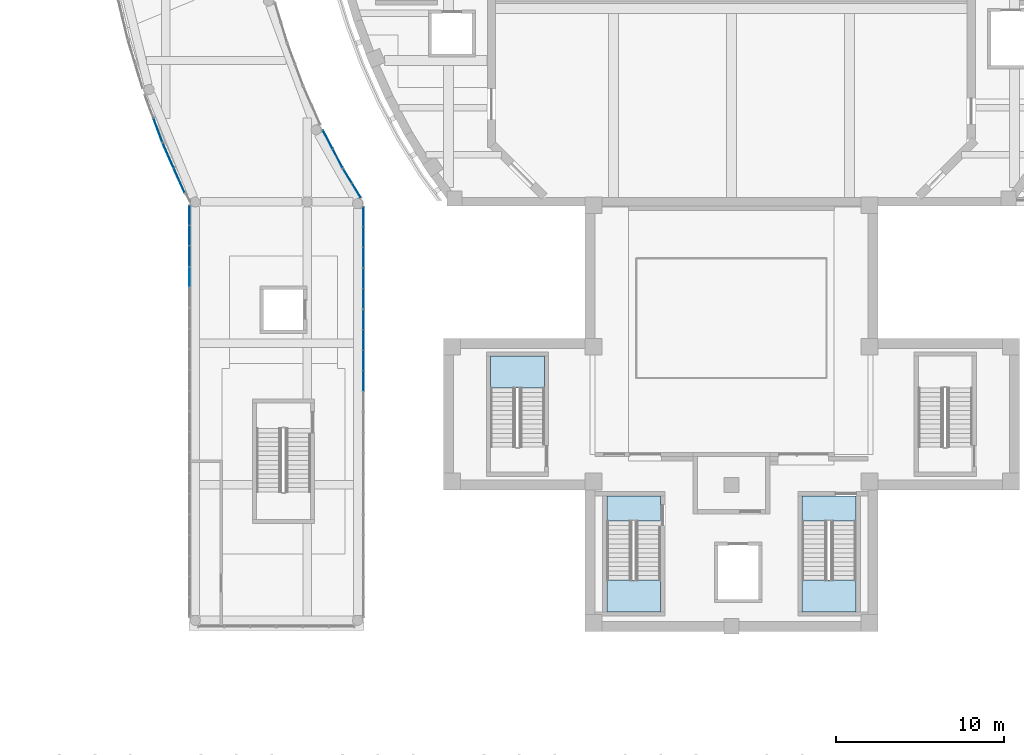
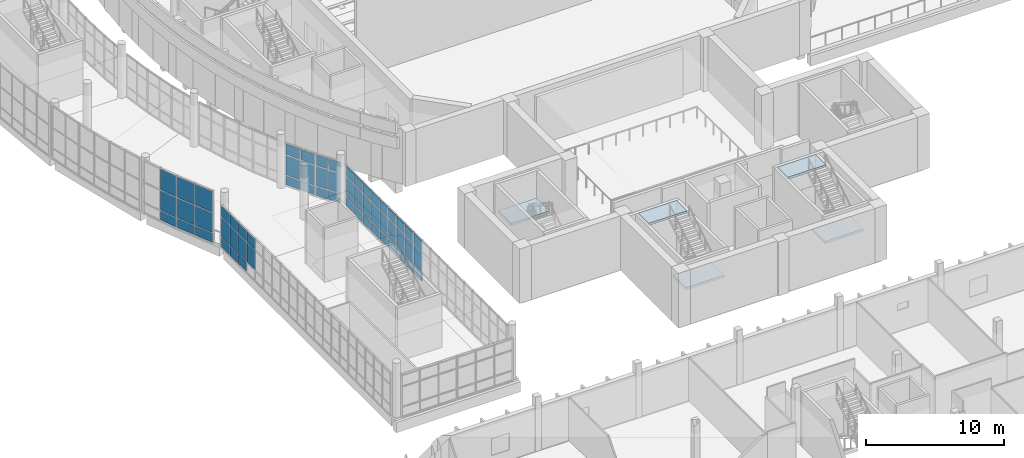
# One storey, part 43 of 119: 59 plates, 5 slabs, 10 elements without a shape of their own.
"""IFC4 building model written with IfcOpenShell, lengths in metres."""

from ifc_helpers import new_model, si_unit, direction, frame, origin, origin_2d, place, context, subcontext, project, spatial, polyline, rectangle, outline, extrude, material, layer, layer_set, type_object, element, aggregate, save


model = new_model("IFC4")

# Units and contexts
model_context = context("Model", 3, precision=1e-05, world=origin(), true_north=direction((0.0, 1.0)))
body_context = subcontext(model_context, "Body", "Model", "MODEL_VIEW")
ifc_project = project(units=[si_unit("LENGTHUNIT", "METRE"), si_unit("AREAUNIT", "SQUARE_METRE"), si_unit("VOLUMEUNIT", "CUBIC_METRE"), si_unit("PLANEANGLEUNIT", "RADIAN"), si_unit("MASSUNIT", "GRAM", prefix="KILO")], contexts=[model_context])

# Site, building, storey
site_placement = place(None, origin())
site = spatial("IfcSite", under=ifc_project, at=site_placement, CompositionType="ELEMENT")
building_placement = place(site_placement, origin())
building = spatial("IfcBuilding", under=site, at=building_placement, Name="Larchfold Concert Hall", CompositionType="ELEMENT")
storey_placement = place(building_placement, frame((0.0, 0.0, 4.800048828125)))
storey = spatial("IfcBuildingStorey", under=building, at=storey_placement, Name="L01", CompositionType="ELEMENT", Elevation=4.800048828125)

# Curtain wall, plates
ifc_material_1 = material(Name="Anodised graphite aluminium curtain wall", Category="aluminium")
ifc_layer_1 = layer(ifc_material_1, 0.14990234375)
ifc_layer_set_1 = layer_set([ifc_layer_1], Name="Anodised graphite aluminium curtain wall")
curtain_wall_type = type_object("IfcCurtainWallType", Name="Curtain wall WG", PredefinedType="NOTDEFINED", material=ifc_layer_set_1)
curtain_wall_1_placement = place(storey_placement, origin())
curtain_wall_1 = element("IfcCurtainWall", 1, at=curtain_wall_1_placement, inside=storey, type_object=curtain_wall_type, Name="Curtain wall CW0137", PredefinedType="NOTDEFINED")
ifc_material_2 = material(Name="Insulated glazing unit, glass", Category="glass")
ifc_layer_2 = layer(ifc_material_2, 0.028076171875)
ifc_layer_set_2 = layer_set([ifc_layer_2], Name="Insulated glazing unit, glass")
plate_type_1 = type_object("IfcPlateType", Name="Glass panel 28", PredefinedType="CURTAIN_PANEL", material=ifc_layer_set_2)
plate_1_placement = place(storey_placement, frame((20.331787109375, 60.077880859375, 0.93994140625), z_axis=(0.0, 0.0, 1.0), x_axis=(-0.52407134145, 0.851674367978, 0.0)))
plate_1 = element("IfcPlate", 2, at=plate_1_placement, type_object=plate_type_1, Name="CW0137 panel 1.2", PredefinedType="CURTAIN_PANEL", context=body_context, shape_type="SweptSolid", body=[
    extrude(rectangle(XDim=0.954345703125, YDim=0.028076171875, at=origin_2d()), origin(), (0.0, 0.0, 1.0), 1.719970703125),
])
plate_2_placement = place(storey_placement, frame((20.331787109375, 60.077880859375, 2.740234375), z_axis=(0.0, 0.0, 1.0), x_axis=(-0.52407134145, 0.851674367978, 0.0)))
plate_2 = element("IfcPlate", 3, at=plate_2_placement, type_object=plate_type_1, Name="CW0137 panel 1.3", PredefinedType="CURTAIN_PANEL", context=body_context, shape_type="SweptSolid", body=[
    extrude(rectangle(XDim=0.954345703125, YDim=0.028076171875, at=origin_2d()), origin(), (0.0, 0.0, 1.0), 0.929931640625),
])
plate_3_placement = place(storey_placement, frame((19.800048828125, 60.94189453125, 0.93994140625), z_axis=(0.0, 0.0, 1.0), x_axis=(-0.52407134145, 0.851674367978, 0.0)))
plate_3 = element("IfcPlate", 4, at=plate_3_placement, type_object=plate_type_1, Name="CW0137 panel 2.2", PredefinedType="CURTAIN_PANEL", context=body_context, shape_type="SweptSolid", body=[
    extrude(rectangle(XDim=0.954345703125, YDim=0.028076171875, at=origin_2d()), origin(), (0.0, 0.0, 1.0), 1.719970703125),
])
plate_4_placement = place(storey_placement, frame((19.800048828125, 60.94189453125, 2.740234375), z_axis=(0.0, 0.0, 1.0), x_axis=(-0.52407134145, 0.851674367978, 0.0)))
plate_4 = element("IfcPlate", 5, at=plate_4_placement, type_object=plate_type_1, Name="CW0137 panel 2.3", PredefinedType="CURTAIN_PANEL", context=body_context, shape_type="SweptSolid", body=[
    extrude(rectangle(XDim=0.954345703125, YDim=0.028076171875, at=origin_2d()), origin(), (0.0, 0.0, 1.0), 0.929931640625),
])

curtain_wall_2_placement = place(storey_placement, origin())
curtain_wall_2 = element("IfcCurtainWall", 6, at=curtain_wall_2_placement, inside=storey, type_object=curtain_wall_type, Name="Curtain wall CW0138", PredefinedType="NOTDEFINED")
plate_5_placement = place(storey_placement, frame((19.21142578125, 61.987060546875, 0.93994140625), z_axis=(0.0, 0.0, 1.0), x_axis=(-0.463190324357, 0.886258835455, 0.0)))
plate_5 = element("IfcPlate", 7, at=plate_5_placement, type_object=plate_type_1, Name="CW0138 panel 1.2", PredefinedType="CURTAIN_PANEL", context=body_context, shape_type="SweptSolid", body=[
    extrude(rectangle(XDim=1.2060546875, YDim=0.028076171875, at=origin_2d()), origin(), (0.0, 0.0, 1.0), 1.719970703125),
])
plate_6_placement = place(storey_placement, frame((19.21142578125, 61.987060546875, 2.740234375), z_axis=(0.0, 0.0, 1.0), x_axis=(-0.463190324357, 0.886258835455, 0.0)))
plate_6 = element("IfcPlate", 8, at=plate_6_placement, type_object=plate_type_1, Name="CW0138 panel 1.3", PredefinedType="CURTAIN_PANEL", context=body_context, shape_type="SweptSolid", body=[
    extrude(rectangle(XDim=1.2060546875, YDim=0.028076171875, at=origin_2d()), origin(), (0.0, 0.0, 1.0), 0.929931640625),
])
plate_7_placement = place(storey_placement, frame((18.625, 63.109130859375, 0.93994140625), z_axis=(0.0, 0.0, 1.0), x_axis=(-0.463190324357, 0.886258835455, 0.0)))
plate_7 = element("IfcPlate", 9, at=plate_7_placement, type_object=plate_type_1, Name="CW0138 panel 2.2", PredefinedType="CURTAIN_PANEL", context=body_context, shape_type="SweptSolid", body=[
    extrude(rectangle(XDim=1.2060546875, YDim=0.028076171875, at=origin_2d()), origin(), (0.0, 0.0, 1.0), 1.719970703125),
])
plate_8_placement = place(storey_placement, frame((18.625, 63.109130859375, 2.740234375), z_axis=(0.0, 0.0, 1.0), x_axis=(-0.463190324357, 0.886258835455, 0.0)))
plate_8 = element("IfcPlate", 10, at=plate_8_placement, type_object=plate_type_1, Name="CW0138 panel 2.3", PredefinedType="CURTAIN_PANEL", context=body_context, shape_type="SweptSolid", body=[
    extrude(rectangle(XDim=1.2060546875, YDim=0.028076171875, at=origin_2d()), origin(), (0.0, 0.0, 1.0), 0.929931640625),
])

curtain_wall_3_placement = place(storey_placement, origin())
curtain_wall_3 = element("IfcCurtainWall", 11, at=curtain_wall_3_placement, inside=storey, type_object=curtain_wall_type, Name="Curtain wall CW0202", PredefinedType="NOTDEFINED")
plate_9_placement = place(storey_placement, frame((8.539306640625, 63.657470703125, 0.93994140625), z_axis=(0.0, 0.0, 1.0), x_axis=(0.346592402451, -0.938015834921, 0.0)))
plate_9 = element("IfcPlate", 12, at=plate_9_placement, type_object=plate_type_1, Name="CW0202 panel 2.2", PredefinedType="CURTAIN_PANEL", context=body_context, shape_type="SweptSolid", body=[
    extrude(rectangle(XDim=1.446533203125, YDim=0.028076171875, at=origin_2d()), origin(), (0.0, 0.0, 1.0), 1.719970703125),
])
plate_10_placement = place(storey_placement, frame((8.539306640625, 63.657470703125, 2.740234375), z_axis=(0.0, 0.0, 1.0), x_axis=(0.346592402451, -0.938015834921, 0.0)))
plate_10 = element("IfcPlate", 13, at=plate_10_placement, type_object=plate_type_1, Name="CW0202 panel 2.3", PredefinedType="CURTAIN_PANEL", context=body_context, shape_type="SweptSolid", body=[
    extrude(rectangle(XDim=1.446533203125, YDim=0.028076171875, at=origin_2d()), origin(), (0.0, 0.0, 1.0), 1.829833984375),
])

curtain_wall_4_placement = place(storey_placement, origin())
curtain_wall_4 = element("IfcCurtainWall", 14, at=curtain_wall_4_placement, inside=storey, type_object=curtain_wall_type, Name="Curtain wall CW0203", PredefinedType="NOTDEFINED")
plate_11_placement = place(storey_placement, frame((9.149169921875, 62.15673828125, 0.93994140625), z_axis=(0.0, 0.0, 1.0), x_axis=(0.404126294549, -0.914703196701, 0.0)))
plate_11 = element("IfcPlate", 15, at=plate_11_placement, type_object=plate_type_1, Name="CW0203 panel 1.2", PredefinedType="CURTAIN_PANEL", context=body_context, shape_type="SweptSolid", body=[
    extrude(rectangle(XDim=1.554443359375, YDim=0.028076171875, at=origin_2d()), origin(), (0.0, 0.0, 1.0), 1.719970703125),
])
plate_12_placement = place(storey_placement, frame((9.149169921875, 62.15673828125, 2.740234375), z_axis=(0.0, 0.0, 1.0), x_axis=(0.404126294549, -0.914703196701, 0.0)))
plate_12 = element("IfcPlate", 16, at=plate_12_placement, type_object=plate_type_1, Name="CW0203 panel 1.3", PredefinedType="CURTAIN_PANEL", context=body_context, shape_type="SweptSolid", body=[
    extrude(rectangle(XDim=1.554443359375, YDim=0.028076171875, at=origin_2d()), origin(), (0.0, 0.0, 1.0), 1.829833984375),
])
plate_13_placement = place(storey_placement, frame((9.801513671875, 60.68017578125, 0.93994140625), z_axis=(0.0, 0.0, 1.0), x_axis=(0.404126294549, -0.914703196701, 0.0)))
plate_13 = element("IfcPlate", 17, at=plate_13_placement, type_object=plate_type_1, Name="CW0203 panel 2.2", PredefinedType="CURTAIN_PANEL", context=body_context, shape_type="SweptSolid", body=[
    extrude(rectangle(XDim=1.554443359375, YDim=0.028076171875, at=origin_2d()), origin(), (0.0, 0.0, 1.0), 1.719970703125),
])
plate_14_placement = place(storey_placement, frame((9.801513671875, 60.68017578125, 2.740234375), z_axis=(0.0, 0.0, 1.0), x_axis=(0.404126294549, -0.914703196701, 0.0)))
plate_14 = element("IfcPlate", 18, at=plate_14_placement, type_object=plate_type_1, Name="CW0203 panel 2.3", PredefinedType="CURTAIN_PANEL", context=body_context, shape_type="SweptSolid", body=[
    extrude(rectangle(XDim=1.554443359375, YDim=0.028076171875, at=origin_2d()), origin(), (0.0, 0.0, 1.0), 1.829833984375),
])

curtain_wall_5_placement = place(storey_placement, origin())
curtain_wall_5 = element("IfcCurtainWall", 19, at=curtain_wall_5_placement, inside=storey, type_object=curtain_wall_type, Name="Curtain wall CW0204", PredefinedType="NOTDEFINED")
plate_15_placement = place(storey_placement, frame((10.408447265625, 58.61279296875, 0.93994140625), z_axis=(0.0, 0.0, 1.0), x_axis=(0.0, -1.0, 0.0)))
plate_15 = element("IfcPlate", 20, at=plate_15_placement, type_object=plate_type_1, Name="CW0204 panel 1.2", PredefinedType="CURTAIN_PANEL", context=body_context, shape_type="SweptSolid", body=[
    extrude(rectangle(XDim=1.13671875, YDim=0.028076171875, at=origin_2d()), origin(), (0.0, 0.0, 1.0), 1.719970703125),
])
plate_16_placement = place(storey_placement, frame((10.408447265625, 58.61279296875, 2.740234375), z_axis=(0.0, 0.0, 1.0), x_axis=(0.0, -1.0, 0.0)))
plate_16 = element("IfcPlate", 21, at=plate_16_placement, type_object=plate_type_1, Name="CW0204 panel 1.3", PredefinedType="CURTAIN_PANEL", context=body_context, shape_type="SweptSolid", body=[
    extrude(rectangle(XDim=1.13671875, YDim=0.028076171875, at=origin_2d()), origin(), (0.0, 0.0, 1.0), 0.929931640625),
])
plate_17_placement = place(storey_placement, frame((10.408447265625, 57.4013671875, 0.93994140625), z_axis=(0.0, 0.0, 1.0), x_axis=(0.0, -1.0, 0.0)))
plate_17 = element("IfcPlate", 22, at=plate_17_placement, type_object=plate_type_1, Name="CW0204 panel 2.2", PredefinedType="CURTAIN_PANEL", context=body_context, shape_type="SweptSolid", body=[
    extrude(rectangle(XDim=1.16650390625, YDim=0.028076171875, at=origin_2d()), origin(), (0.0, 0.0, 1.0), 1.719970703125),
])
plate_18_placement = place(storey_placement, frame((10.408447265625, 57.4013671875, 2.740234375), z_axis=(0.0, 0.0, 1.0), x_axis=(0.0, -1.0, 0.0)))
plate_18 = element("IfcPlate", 23, at=plate_18_placement, type_object=plate_type_1, Name="CW0204 panel 2.3", PredefinedType="CURTAIN_PANEL", context=body_context, shape_type="SweptSolid", body=[
    extrude(rectangle(XDim=1.16650390625, YDim=0.028076171875, at=origin_2d()), origin(), (0.0, 0.0, 1.0), 0.929931640625),
])
plate_19_placement = place(storey_placement, frame((10.408447265625, 56.174560546875, 0.93994140625), z_axis=(0.0, 0.0, 1.0), x_axis=(0.0, -1.0, 0.0)))
plate_19 = element("IfcPlate", 24, at=plate_19_placement, type_object=plate_type_1, Name="CW0204 panel 3.2", PredefinedType="CURTAIN_PANEL", context=body_context, shape_type="SweptSolid", body=[
    extrude(rectangle(XDim=1.16650390625, YDim=0.028076171875, at=origin_2d()), origin(), (0.0, 0.0, 1.0), 1.719970703125),
])
plate_20_placement = place(storey_placement, frame((10.408447265625, 56.174560546875, 2.740234375), z_axis=(0.0, 0.0, 1.0), x_axis=(0.0, -1.0, 0.0)))
plate_20 = element("IfcPlate", 25, at=plate_20_placement, type_object=plate_type_1, Name="CW0204 panel 3.3", PredefinedType="CURTAIN_PANEL", context=body_context, shape_type="SweptSolid", body=[
    extrude(rectangle(XDim=1.16650390625, YDim=0.028076171875, at=origin_2d()), origin(), (0.0, 0.0, 1.0), 0.929931640625),
])
plate_21_placement = place(storey_placement, frame((10.408447265625, 54.947998046875, 0.93994140625), z_axis=(0.0, 0.0, 1.0), x_axis=(0.0, -1.0, 0.0)))
plate_21 = element("IfcPlate", 26, at=plate_21_placement, type_object=plate_type_1, Name="CW0204 panel 4.2", PredefinedType="CURTAIN_PANEL", context=body_context, shape_type="SweptSolid", body=[
    extrude(rectangle(XDim=1.16650390625, YDim=0.028076171875, at=origin_2d()), origin(), (0.0, 0.0, 1.0), 1.719970703125),
])
plate_22_placement = place(storey_placement, frame((10.408447265625, 54.947998046875, 2.740234375), z_axis=(0.0, 0.0, 1.0), x_axis=(0.0, -1.0, 0.0)))
plate_22 = element("IfcPlate", 27, at=plate_22_placement, type_object=plate_type_1, Name="CW0204 panel 4.3", PredefinedType="CURTAIN_PANEL", context=body_context, shape_type="SweptSolid", body=[
    extrude(rectangle(XDim=1.16650390625, YDim=0.028076171875, at=origin_2d()), origin(), (0.0, 0.0, 1.0), 0.929931640625),
])

curtain_wall_6_placement = place(storey_placement, origin())
curtain_wall_6 = element("IfcCurtainWall", 28, at=curtain_wall_6_placement, inside=storey, type_object=curtain_wall_type, Name="Curtain wall CW0212", PredefinedType="NOTDEFINED")
plate_23_placement = place(storey_placement, frame((20.748779296875, 48.758056640625, 0.93994140625), z_axis=(0.0, 0.0, 1.0), x_axis=(0.0, 1.0, 0.0)))
plate_23 = element("IfcPlate", 29, at=plate_23_placement, type_object=plate_type_1, Name="CW0212 panel 2.2", PredefinedType="CURTAIN_PANEL", context=body_context, shape_type="SweptSolid", body=[
    extrude(rectangle(XDim=1.16162109375, YDim=0.028076171875, at=origin_2d()), origin(), (0.0, 0.0, 1.0), 1.719970703125),
])
plate_24_placement = place(storey_placement, frame((20.748779296875, 48.758056640625, 2.740234375), z_axis=(0.0, 0.0, 1.0), x_axis=(0.0, 1.0, 0.0)))
plate_24 = element("IfcPlate", 30, at=plate_24_placement, type_object=plate_type_1, Name="CW0212 panel 2.3", PredefinedType="CURTAIN_PANEL", context=body_context, shape_type="SweptSolid", body=[
    extrude(rectangle(XDim=1.16162109375, YDim=0.028076171875, at=origin_2d()), origin(), (0.0, 0.0, 1.0), 0.929931640625),
])
plate_25_placement = place(storey_placement, frame((20.748779296875, 49.979736328125, 0.93994140625), z_axis=(0.0, 0.0, 1.0), x_axis=(0.0, 1.0, 0.0)))
plate_25 = element("IfcPlate", 31, at=plate_25_placement, type_object=plate_type_1, Name="CW0212 panel 3.2", PredefinedType="CURTAIN_PANEL", context=body_context, shape_type="SweptSolid", body=[
    extrude(rectangle(XDim=1.16162109375, YDim=0.028076171875, at=origin_2d()), origin(), (0.0, 0.0, 1.0), 1.719970703125),
])
plate_26_placement = place(storey_placement, frame((20.748779296875, 49.979736328125, 2.740234375), z_axis=(0.0, 0.0, 1.0), x_axis=(0.0, 1.0, 0.0)))
plate_26 = element("IfcPlate", 32, at=plate_26_placement, type_object=plate_type_1, Name="CW0212 panel 3.3", PredefinedType="CURTAIN_PANEL", context=body_context, shape_type="SweptSolid", body=[
    extrude(rectangle(XDim=1.16162109375, YDim=0.028076171875, at=origin_2d()), origin(), (0.0, 0.0, 1.0), 0.929931640625),
])
plate_27_placement = place(storey_placement, frame((20.748779296875, 51.20166015625, 0.93994140625), z_axis=(0.0, 0.0, 1.0), x_axis=(0.0, 1.0, 0.0)))
plate_27 = element("IfcPlate", 33, at=plate_27_placement, type_object=plate_type_1, Name="CW0212 panel 4.2", PredefinedType="CURTAIN_PANEL", context=body_context, shape_type="SweptSolid", body=[
    extrude(rectangle(XDim=1.16162109375, YDim=0.028076171875, at=origin_2d()), origin(), (0.0, 0.0, 1.0), 1.719970703125),
])
plate_28_placement = place(storey_placement, frame((20.748779296875, 51.20166015625, 2.740234375), z_axis=(0.0, 0.0, 1.0), x_axis=(0.0, 1.0, 0.0)))
plate_28 = element("IfcPlate", 34, at=plate_28_placement, type_object=plate_type_1, Name="CW0212 panel 4.3", PredefinedType="CURTAIN_PANEL", context=body_context, shape_type="SweptSolid", body=[
    extrude(rectangle(XDim=1.16162109375, YDim=0.028076171875, at=origin_2d()), origin(), (0.0, 0.0, 1.0), 0.929931640625),
])
plate_29_placement = place(storey_placement, frame((20.748779296875, 52.408203125, 0.93994140625), z_axis=(0.0, 0.0, 1.0), x_axis=(0.0, 1.0, 0.0)))
plate_29 = element("IfcPlate", 35, at=plate_29_placement, type_object=plate_type_1, Name="CW0212 panel 5.2", PredefinedType="CURTAIN_PANEL", context=body_context, shape_type="SweptSolid", body=[
    extrude(rectangle(XDim=1.1318359375, YDim=0.028076171875, at=origin_2d()), origin(), (0.0, 0.0, 1.0), 1.719970703125),
])
plate_30_placement = place(storey_placement, frame((20.748779296875, 52.408203125, 2.740234375), z_axis=(0.0, 0.0, 1.0), x_axis=(0.0, 1.0, 0.0)))
plate_30 = element("IfcPlate", 36, at=plate_30_placement, type_object=plate_type_1, Name="CW0212 panel 5.3", PredefinedType="CURTAIN_PANEL", context=body_context, shape_type="SweptSolid", body=[
    extrude(rectangle(XDim=1.1318359375, YDim=0.028076171875, at=origin_2d()), origin(), (0.0, 0.0, 1.0), 0.929931640625),
])

curtain_wall_7_placement = place(storey_placement, origin())
curtain_wall_7 = element("IfcCurtainWall", 37, at=curtain_wall_7_placement, inside=storey, type_object=curtain_wall_type, Name="Curtain wall CW0213", PredefinedType="NOTDEFINED")
plate_31_placement = place(storey_placement, frame((20.748779296875, 53.66015625, 0.93994140625), z_axis=(0.0, 0.0, 1.0), x_axis=(0.0, 1.0, 0.0)))
plate_31 = element("IfcPlate", 38, at=plate_31_placement, type_object=plate_type_1, Name="CW0213 panel 1.2", PredefinedType="CURTAIN_PANEL", context=body_context, shape_type="SweptSolid", body=[
    extrude(rectangle(XDim=1.1318359375, YDim=0.028076171875, at=origin_2d()), origin(), (0.0, 0.0, 1.0), 1.719970703125),
])
plate_32_placement = place(storey_placement, frame((20.748779296875, 53.66015625, 2.740234375), z_axis=(0.0, 0.0, 1.0), x_axis=(0.0, 1.0, 0.0)))
plate_32 = element("IfcPlate", 39, at=plate_32_placement, type_object=plate_type_1, Name="CW0213 panel 1.3", PredefinedType="CURTAIN_PANEL", context=body_context, shape_type="SweptSolid", body=[
    extrude(rectangle(XDim=1.1318359375, YDim=0.028076171875, at=origin_2d()), origin(), (0.0, 0.0, 1.0), 0.929931640625),
])
plate_33_placement = place(storey_placement, frame((20.748779296875, 54.866943359375, 0.93994140625), z_axis=(0.0, 0.0, 1.0), x_axis=(0.0, 1.0, 0.0)))
plate_33 = element("IfcPlate", 40, at=plate_33_placement, type_object=plate_type_1, Name="CW0213 panel 2.2", PredefinedType="CURTAIN_PANEL", context=body_context, shape_type="SweptSolid", body=[
    extrude(rectangle(XDim=1.161865234375, YDim=0.028076171875, at=origin_2d()), origin(), (0.0, 0.0, 1.0), 1.719970703125),
])
plate_34_placement = place(storey_placement, frame((20.748779296875, 54.866943359375, 2.740234375), z_axis=(0.0, 0.0, 1.0), x_axis=(0.0, 1.0, 0.0)))
plate_34 = element("IfcPlate", 41, at=plate_34_placement, type_object=plate_type_1, Name="CW0213 panel 2.3", PredefinedType="CURTAIN_PANEL", context=body_context, shape_type="SweptSolid", body=[
    extrude(rectangle(XDim=1.161865234375, YDim=0.028076171875, at=origin_2d()), origin(), (0.0, 0.0, 1.0), 0.929931640625),
])
plate_35_placement = place(storey_placement, frame((20.748779296875, 56.088623046875, 0.93994140625), z_axis=(0.0, 0.0, 1.0), x_axis=(0.0, 1.0, 0.0)))
plate_35 = element("IfcPlate", 42, at=plate_35_placement, type_object=plate_type_1, Name="CW0213 panel 3.2", PredefinedType="CURTAIN_PANEL", context=body_context, shape_type="SweptSolid", body=[
    extrude(rectangle(XDim=1.161865234375, YDim=0.028076171875, at=origin_2d()), origin(), (0.0, 0.0, 1.0), 1.719970703125),
])
plate_36_placement = place(storey_placement, frame((20.748779296875, 56.088623046875, 2.740234375), z_axis=(0.0, 0.0, 1.0), x_axis=(0.0, 1.0, 0.0)))
plate_36 = element("IfcPlate", 43, at=plate_36_placement, type_object=plate_type_1, Name="CW0213 panel 3.3", PredefinedType="CURTAIN_PANEL", context=body_context, shape_type="SweptSolid", body=[
    extrude(rectangle(XDim=1.161865234375, YDim=0.028076171875, at=origin_2d()), origin(), (0.0, 0.0, 1.0), 0.929931640625),
])
plate_37_placement = place(storey_placement, frame((20.748779296875, 57.310302734375, 0.93994140625), z_axis=(0.0, 0.0, 1.0), x_axis=(0.0, 1.0, 0.0)))
plate_37 = element("IfcPlate", 44, at=plate_37_placement, type_object=plate_type_1, Name="CW0213 panel 4.2", PredefinedType="CURTAIN_PANEL", context=body_context, shape_type="SweptSolid", body=[
    extrude(rectangle(XDim=1.161865234375, YDim=0.028076171875, at=origin_2d()), origin(), (0.0, 0.0, 1.0), 1.719970703125),
])
plate_38_placement = place(storey_placement, frame((20.748779296875, 57.310302734375, 2.740234375), z_axis=(0.0, 0.0, 1.0), x_axis=(0.0, 1.0, 0.0)))
plate_38 = element("IfcPlate", 45, at=plate_38_placement, type_object=plate_type_1, Name="CW0213 panel 4.3", PredefinedType="CURTAIN_PANEL", context=body_context, shape_type="SweptSolid", body=[
    extrude(rectangle(XDim=1.161865234375, YDim=0.028076171875, at=origin_2d()), origin(), (0.0, 0.0, 1.0), 0.929931640625),
])
plate_39_placement = place(storey_placement, frame((20.748779296875, 58.51708984375, 0.93994140625), z_axis=(0.0, 0.0, 1.0), x_axis=(0.0, 1.0, 0.0)))
plate_39 = element("IfcPlate", 46, at=plate_39_placement, type_object=plate_type_1, Name="CW0213 panel 5.2", PredefinedType="CURTAIN_PANEL", context=body_context, shape_type="SweptSolid", body=[
    extrude(rectangle(XDim=1.1318359375, YDim=0.028076171875, at=origin_2d()), origin(), (0.0, 0.0, 1.0), 1.719970703125),
])
plate_40_placement = place(storey_placement, frame((20.748779296875, 58.51708984375, 2.740234375), z_axis=(0.0, 0.0, 1.0), x_axis=(0.0, 1.0, 0.0)))
plate_40 = element("IfcPlate", 47, at=plate_40_placement, type_object=plate_type_1, Name="CW0213 panel 5.3", PredefinedType="CURTAIN_PANEL", context=body_context, shape_type="SweptSolid", body=[
    extrude(rectangle(XDim=1.1318359375, YDim=0.028076171875, at=origin_2d()), origin(), (0.0, 0.0, 1.0), 0.929931640625),
])

# Plate
ifc_material_3 = material(Name="White insulated panel")
ifc_layer_3 = layer(ifc_material_3, 0.06005859375)
ifc_layer_set_3 = layer_set([ifc_layer_3], Name="White insulated panel")
plate_type_2 = type_object("IfcPlateType", Name="Insulated spandrel panel 60", PredefinedType="CURTAIN_PANEL", material=ifc_layer_set_3)
plate_41_placement = place(storey_placement, frame((20.331787109375, 60.077880859375, 0.080078125), z_axis=(0.0, 0.0, 1.0), x_axis=(-0.52407134145, 0.851674367978, 0.0)))
plate_41 = element("IfcPlate", 48, at=plate_41_placement, type_object=plate_type_2, Name="CW0137 panel 1.1", PredefinedType="CURTAIN_PANEL", context=body_context, shape_type="SweptSolid", body=[
    extrude(rectangle(XDim=0.954345703125, YDim=0.06005859375, at=origin_2d()), origin(), (0.0, 0.0, 1.0), 0.77978515625),
])

plate_42_placement = place(storey_placement, frame((19.800048828125, 60.94189453125, 0.080078125), z_axis=(0.0, 0.0, 1.0), x_axis=(-0.52407134145, 0.851674367978, 0.0)))
plate_42 = element("IfcPlate", 49, at=plate_42_placement, type_object=plate_type_2, Name="CW0137 panel 2.1", PredefinedType="CURTAIN_PANEL", context=body_context, shape_type="SweptSolid", body=[
    extrude(rectangle(XDim=0.954345703125, YDim=0.06005859375, at=origin_2d()), origin(), (0.0, 0.0, 1.0), 0.77978515625),
])

aggregate(curtain_wall_1, [plate_41, plate_1, plate_2, plate_42, plate_3, plate_4])

plate_43_placement = place(storey_placement, frame((19.21142578125, 61.987060546875, 0.080078125), z_axis=(0.0, 0.0, 1.0), x_axis=(-0.463190324357, 0.886258835455, 0.0)))
plate_43 = element("IfcPlate", 50, at=plate_43_placement, type_object=plate_type_2, Name="CW0138 panel 1.1", PredefinedType="CURTAIN_PANEL", context=body_context, shape_type="SweptSolid", body=[
    extrude(rectangle(XDim=1.2060546875, YDim=0.06005859375, at=origin_2d()), origin(), (0.0, 0.0, 1.0), 0.77978515625),
])

plate_44_placement = place(storey_placement, frame((18.625, 63.109130859375, 0.080078125), z_axis=(0.0, 0.0, 1.0), x_axis=(-0.463190324357, 0.886258835455, 0.0)))
plate_44 = element("IfcPlate", 51, at=plate_44_placement, type_object=plate_type_2, Name="CW0138 panel 2.1", PredefinedType="CURTAIN_PANEL", context=body_context, shape_type="SweptSolid", body=[
    extrude(rectangle(XDim=1.2060546875, YDim=0.06005859375, at=origin_2d()), origin(), (0.0, 0.0, 1.0), 0.77978515625),
])

aggregate(curtain_wall_2, [plate_43, plate_5, plate_6, plate_44, plate_7, plate_8])

plate_45_placement = place(storey_placement, frame((8.539306640625, 63.657470703125, 0.080078125), z_axis=(0.0, 0.0, 1.0), x_axis=(0.346592402451, -0.938015834921, 0.0)))
plate_45 = element("IfcPlate", 52, at=plate_45_placement, type_object=plate_type_2, Name="CW0202 panel 2.1", PredefinedType="CURTAIN_PANEL", context=body_context, shape_type="SweptSolid", body=[
    extrude(rectangle(XDim=1.446533203125, YDim=0.06005859375, at=origin_2d()), origin(), (0.0, 0.0, 1.0), 0.77978515625),
])

aggregate(curtain_wall_3, [plate_45, plate_9, plate_10])

plate_46_placement = place(storey_placement, frame((9.149169921875, 62.15673828125, 0.080078125), z_axis=(0.0, 0.0, 1.0), x_axis=(0.404126294549, -0.914703196701, 0.0)))
plate_46 = element("IfcPlate", 53, at=plate_46_placement, type_object=plate_type_2, Name="CW0203 panel 1.1", PredefinedType="CURTAIN_PANEL", context=body_context, shape_type="SweptSolid", body=[
    extrude(rectangle(XDim=1.554443359375, YDim=0.06005859375, at=origin_2d()), origin(), (0.0, 0.0, 1.0), 0.77978515625),
])

plate_47_placement = place(storey_placement, frame((9.801513671875, 60.68017578125, 0.080078125), z_axis=(0.0, 0.0, 1.0), x_axis=(0.404126294549, -0.914703196701, 0.0)))
plate_47 = element("IfcPlate", 54, at=plate_47_placement, type_object=plate_type_2, Name="CW0203 panel 2.1", PredefinedType="CURTAIN_PANEL", context=body_context, shape_type="SweptSolid", body=[
    extrude(rectangle(XDim=1.554443359375, YDim=0.06005859375, at=origin_2d()), origin(), (0.0, 0.0, 1.0), 0.77978515625),
])

aggregate(curtain_wall_4, [plate_46, plate_11, plate_12, plate_47, plate_13, plate_14])

plate_48_placement = place(storey_placement, frame((10.408447265625, 58.61279296875, 0.080078125), z_axis=(0.0, 0.0, 1.0), x_axis=(0.0, -1.0, 0.0)))
plate_48 = element("IfcPlate", 55, at=plate_48_placement, type_object=plate_type_2, Name="CW0204 panel 1.1", PredefinedType="CURTAIN_PANEL", context=body_context, shape_type="SweptSolid", body=[
    extrude(rectangle(XDim=1.13671875, YDim=0.06005859375, at=origin_2d()), origin(), (0.0, 0.0, 1.0), 0.77978515625),
])

plate_49_placement = place(storey_placement, frame((10.408447265625, 57.4013671875, 0.080078125), z_axis=(0.0, 0.0, 1.0), x_axis=(0.0, -1.0, 0.0)))
plate_49 = element("IfcPlate", 56, at=plate_49_placement, type_object=plate_type_2, Name="CW0204 panel 2.1", PredefinedType="CURTAIN_PANEL", context=body_context, shape_type="SweptSolid", body=[
    extrude(rectangle(XDim=1.16650390625, YDim=0.06005859375, at=origin_2d()), origin(), (0.0, 0.0, 1.0), 0.77978515625),
])

plate_50_placement = place(storey_placement, frame((10.408447265625, 56.174560546875, 0.080078125), z_axis=(0.0, 0.0, 1.0), x_axis=(0.0, -1.0, 0.0)))
plate_50 = element("IfcPlate", 57, at=plate_50_placement, type_object=plate_type_2, Name="CW0204 panel 3.1", PredefinedType="CURTAIN_PANEL", context=body_context, shape_type="SweptSolid", body=[
    extrude(rectangle(XDim=1.16650390625, YDim=0.06005859375, at=origin_2d()), origin(), (0.0, 0.0, 1.0), 0.77978515625),
])

aggregate(curtain_wall_5, [plate_48, plate_15, plate_16, plate_49, plate_17, plate_18, plate_50, plate_19, plate_20, plate_21, plate_22])

plate_51_placement = place(storey_placement, frame((20.748779296875, 48.758056640625, 0.080078125), z_axis=(0.0, 0.0, 1.0), x_axis=(0.0, 1.0, 0.0)))
plate_51 = element("IfcPlate", 58, at=plate_51_placement, type_object=plate_type_2, Name="CW0212 panel 2.1", PredefinedType="CURTAIN_PANEL", context=body_context, shape_type="SweptSolid", body=[
    extrude(rectangle(XDim=1.16162109375, YDim=0.06005859375, at=origin_2d()), origin(), (0.0, 0.0, 1.0), 0.77978515625),
])

plate_52_placement = place(storey_placement, frame((20.748779296875, 49.979736328125, 0.080078125), z_axis=(0.0, 0.0, 1.0), x_axis=(0.0, 1.0, 0.0)))
plate_52 = element("IfcPlate", 59, at=plate_52_placement, type_object=plate_type_2, Name="CW0212 panel 3.1", PredefinedType="CURTAIN_PANEL", context=body_context, shape_type="SweptSolid", body=[
    extrude(rectangle(XDim=1.16162109375, YDim=0.06005859375, at=origin_2d()), origin(), (0.0, 0.0, 1.0), 0.77978515625),
])

plate_53_placement = place(storey_placement, frame((20.748779296875, 51.20166015625, 0.080078125), z_axis=(0.0, 0.0, 1.0), x_axis=(0.0, 1.0, 0.0)))
plate_53 = element("IfcPlate", 60, at=plate_53_placement, type_object=plate_type_2, Name="CW0212 panel 4.1", PredefinedType="CURTAIN_PANEL", context=body_context, shape_type="SweptSolid", body=[
    extrude(rectangle(XDim=1.16162109375, YDim=0.06005859375, at=origin_2d()), origin(), (0.0, 0.0, 1.0), 0.77978515625),
])

plate_54_placement = place(storey_placement, frame((20.748779296875, 52.408203125, 0.080078125), z_axis=(0.0, 0.0, 1.0), x_axis=(0.0, 1.0, 0.0)))
plate_54 = element("IfcPlate", 61, at=plate_54_placement, type_object=plate_type_2, Name="CW0212 panel 5.1", PredefinedType="CURTAIN_PANEL", context=body_context, shape_type="SweptSolid", body=[
    extrude(rectangle(XDim=1.1318359375, YDim=0.06005859375, at=origin_2d()), origin(), (0.0, 0.0, 1.0), 0.77978515625),
])

aggregate(curtain_wall_6, [plate_51, plate_23, plate_24, plate_52, plate_25, plate_26, plate_53, plate_27, plate_28, plate_54, plate_29, plate_30])

plate_55_placement = place(storey_placement, frame((20.748779296875, 53.66015625, 0.080078125), z_axis=(0.0, 0.0, 1.0), x_axis=(0.0, 1.0, 0.0)))
plate_55 = element("IfcPlate", 62, at=plate_55_placement, type_object=plate_type_2, Name="CW0213 panel 1.1", PredefinedType="CURTAIN_PANEL", context=body_context, shape_type="SweptSolid", body=[
    extrude(rectangle(XDim=1.1318359375, YDim=0.06005859375, at=origin_2d()), origin(), (0.0, 0.0, 1.0), 0.77978515625),
])

plate_56_placement = place(storey_placement, frame((20.748779296875, 54.866943359375, 0.080078125), z_axis=(0.0, 0.0, 1.0), x_axis=(0.0, 1.0, 0.0)))
plate_56 = element("IfcPlate", 63, at=plate_56_placement, type_object=plate_type_2, Name="CW0213 panel 2.1", PredefinedType="CURTAIN_PANEL", context=body_context, shape_type="SweptSolid", body=[
    extrude(rectangle(XDim=1.161865234375, YDim=0.06005859375, at=origin_2d()), origin(), (0.0, 0.0, 1.0), 0.77978515625),
])

plate_57_placement = place(storey_placement, frame((20.748779296875, 56.088623046875, 0.080078125), z_axis=(0.0, 0.0, 1.0), x_axis=(0.0, 1.0, 0.0)))
plate_57 = element("IfcPlate", 64, at=plate_57_placement, type_object=plate_type_2, Name="CW0213 panel 3.1", PredefinedType="CURTAIN_PANEL", context=body_context, shape_type="SweptSolid", body=[
    extrude(rectangle(XDim=1.161865234375, YDim=0.06005859375, at=origin_2d()), origin(), (0.0, 0.0, 1.0), 0.77978515625),
])

plate_58_placement = place(storey_placement, frame((20.748779296875, 57.310302734375, 0.080078125), z_axis=(0.0, 0.0, 1.0), x_axis=(0.0, 1.0, 0.0)))
plate_58 = element("IfcPlate", 65, at=plate_58_placement, type_object=plate_type_2, Name="CW0213 panel 4.1", PredefinedType="CURTAIN_PANEL", context=body_context, shape_type="SweptSolid", body=[
    extrude(rectangle(XDim=1.161865234375, YDim=0.06005859375, at=origin_2d()), origin(), (0.0, 0.0, 1.0), 0.77978515625),
])

plate_59_placement = place(storey_placement, frame((20.748779296875, 58.51708984375, 0.080078125), z_axis=(0.0, 0.0, 1.0), x_axis=(0.0, 1.0, 0.0)))
plate_59 = element("IfcPlate", 66, at=plate_59_placement, type_object=plate_type_2, Name="CW0213 panel 5.1", PredefinedType="CURTAIN_PANEL", context=body_context, shape_type="SweptSolid", body=[
    extrude(rectangle(XDim=1.1318359375, YDim=0.06005859375, at=origin_2d()), origin(), (0.0, 0.0, 1.0), 0.77978515625),
])

aggregate(curtain_wall_7, [plate_55, plate_31, plate_32, plate_56, plate_33, plate_34, plate_57, plate_35, plate_36, plate_58, plate_37, plate_38, plate_59, plate_39, plate_40])

# Stair, slab
ifc_material_4 = material(Name="Concrete C35/45", Category="concrete")
stair_type = type_object("IfcStairType", Name="Stair RC half-turn enclosed", PredefinedType="HALF_TURN_STAIR", material=ifc_material_4)
stair_1_placement = place(storey_placement, origin())
stair_1 = element("IfcStair", 67, at=stair_1_placement, inside=storey, type_object=stair_type, Name="Stair SH1", PredefinedType="HALF_TURN_STAIR")
ifc_material_5 = material(Name="Concrete C35/45", Category="concrete")
ifc_layer_4 = layer(ifc_material_5, 0.199951171875)
ifc_layer_set_4 = layer_set([ifc_layer_4], Name="Concrete C35/45")
slab_type = type_object("IfcSlabType", Name="Stair landing RC 200", PredefinedType="LANDING", material=ifc_layer_set_4)
slab_1_placement = place(storey_placement, frame((0.0, 0.0, 2.199951171875)))
slab_1 = element("IfcSlab", 68, at=slab_1_placement, type_object=slab_type, Name="ST09 landing 1", PredefinedType="LANDING", context=body_context, shape_type="SweptSolid", body=[
    extrude(outline(polyline([(31.5, 48.360107421875), (31.5, 50.25), (28.300048828125, 50.25), (28.300048828125, 48.360107421875), (31.5, 48.360107421875)])), origin(), (0.0, 0.0, 1.0), 0.199951171875),
])
aggregate(stair_1, [slab_1])

# Stair, slabs
stair_2_placement = place(storey_placement, origin())
stair_2 = element("IfcStair", 69, at=stair_2_placement, inside=storey, type_object=stair_type, Name="Stair SH3", PredefinedType="HALF_TURN_STAIR")
slab_2_placement = place(storey_placement, frame((0.0, 0.0, 2.199951171875)))
slab_2 = element("IfcSlab", 70, at=slab_2_placement, type_object=slab_type, Name="ST11 landing 1", PredefinedType="LANDING", context=body_context, shape_type="SweptSolid", body=[
    extrude(outline(polyline([(35.199951171875, 36.93994140625), (35.199951171875, 35.050048828125), (38.39990234375, 35.050048828125), (38.39990234375, 36.93994140625), (35.199951171875, 36.93994140625)])), origin(), (0.0, 0.0, 1.0), 0.199951171875),
])
slab_3_placement = place(storey_placement, frame((0.0, 0.0, 4.599853515625)))
slab_3 = element("IfcSlab", 71, at=slab_3_placement, type_object=slab_type, Name="ST11 landing 2", PredefinedType="LANDING", context=body_context, shape_type="SweptSolid", body=[
    extrude(outline(polyline([(35.199951171875, 41.949951171875), (35.199951171875, 40.449951171875), (38.39990234375, 40.449951171875), (38.39990234375, 41.949951171875), (35.199951171875, 41.949951171875)])), origin(), (0.0, 0.0, 1.0), 0.2001953125),
])
aggregate(stair_2, [slab_2, slab_3])

stair_3_placement = place(storey_placement, origin())
stair_3 = element("IfcStair", 72, at=stair_3_placement, inside=storey, type_object=stair_type, Name="Stair SH4", PredefinedType="HALF_TURN_STAIR")
slab_4_placement = place(storey_placement, frame((0.0, 0.0, 2.199951171875)))
slab_4 = element("IfcSlab", 73, at=slab_4_placement, type_object=slab_type, Name="ST12 landing 1", PredefinedType="LANDING", context=body_context, shape_type="SweptSolid", body=[
    extrude(outline(polyline([(46.800048828125, 36.93994140625), (46.800048828125, 35.050048828125), (50.0, 35.050048828125), (50.0, 36.93994140625), (46.800048828125, 36.93994140625)])), origin(), (0.0, 0.0, 1.0), 0.199951171875),
])
slab_5_placement = place(storey_placement, frame((0.0, 0.0, 4.599853515625)))
slab_5 = element("IfcSlab", 74, at=slab_5_placement, type_object=slab_type, Name="ST12 landing 2", PredefinedType="LANDING", context=body_context, shape_type="SweptSolid", body=[
    extrude(outline(polyline([(46.800048828125, 41.949951171875), (46.800048828125, 40.449951171875), (50.0, 40.449951171875), (50.0, 41.949951171875), (46.800048828125, 41.949951171875)])), origin(), (0.0, 0.0, 1.0), 0.2001953125),
])
aggregate(stair_3, [slab_4, slab_5])

save(model, "model.ifc")
